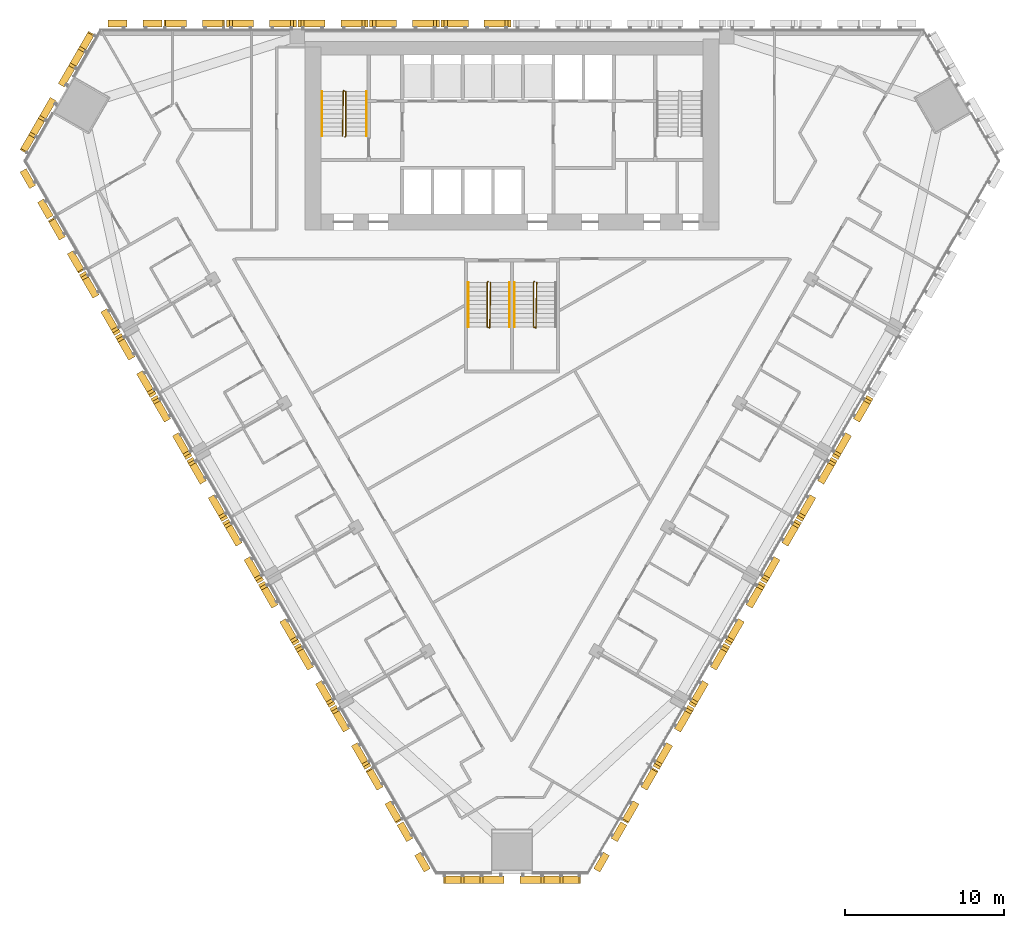
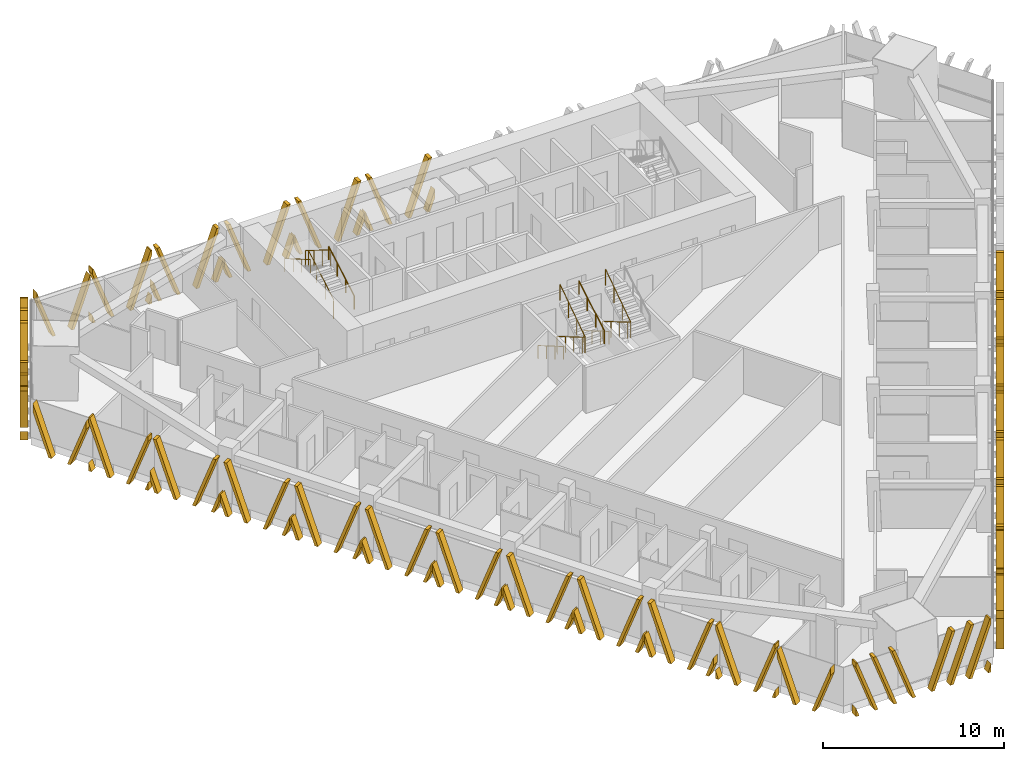
# One storey, part 16 of 18: 28 shading devices, 8 railings.
"""IFC4 building model written with IfcOpenShell, lengths in metres."""

from ifc_helpers import new_model, si_unit, direction, frame, origin, origin_2d, place, context, subcontext, project, spatial, polyline, circle, outline, extrude, source, transform, mapped, material, type_object, element, save


model = new_model("IFC4")

# Units and contexts
model_context = context("Model", 3, precision=1e-05, world=origin(), true_north=direction((0.0, 1.0)))
body_context = subcontext(model_context, "Body", "Model", "MODEL_VIEW")
ifc_project = project(units=[si_unit("LENGTHUNIT", "METRE"), si_unit("AREAUNIT", "SQUARE_METRE"), si_unit("VOLUMEUNIT", "CUBIC_METRE"), si_unit("PLANEANGLEUNIT", "RADIAN"), si_unit("MASSUNIT", "GRAM", prefix="KILO")], contexts=[model_context])

# Site, building, storey
site_placement = place(None, origin())
site = spatial("IfcSite", under=ifc_project, at=site_placement, CompositionType="ELEMENT")
building_placement = place(site_placement, origin())
building = spatial("IfcBuilding", under=site, at=building_placement, Name="Altiplano Prism Tower", CompositionType="ELEMENT")
storey_placement = place(building_placement, frame((0.0, 0.0, 48.60009765625)))
storey = spatial("IfcBuildingStorey", under=building, at=storey_placement, Name="L11", CompositionType="ELEMENT", Elevation=48.60009765625)

# Railings
ifc_material_1 = material(Name="Steel S355", Category="steel")
railing_type_1 = type_object("IfcRailingType", Name="Stair guard 1100", PredefinedType="GUARDRAIL", material=ifc_material_1)
railing_1_placement = place(storey_placement, frame((74.5, 98.25, 0.0)))
element("IfcRailing", 1, at=railing_1_placement, inside=storey, type_object=railing_type_1, Name="L11 ST1 stair guard 1", PredefinedType="GUARDRAIL", context=body_context, shape_type="SweptSolid", body=[
    extrude(circle(Radius=0.02392578125, at=origin_2d()), frame((0.0, 0.0, 1.076171875), z_axis=(0.280808744504, 0.280808744504, 0.917765164963), x_axis=(-0.707106781187, 0.707106781187, 0.0)), (0.0, 0.0, 1.0), 0.17822265625),
    extrude(circle(Radius=0.02392578125, at=origin_2d()), frame((0.050048828125, 0.050048828125, 1.23974609375), z_axis=(0.0, 0.863393664356, 0.504530851732), x_axis=(-1.0, 0.0, 0.0)), (0.0, 0.0, 1.0), 3.2431640625),
    extrude(circle(Radius=0.02392578125, at=origin_2d()), frame((0.050048828125, 2.85009765625, 2.8759765625), z_axis=(-0.949145278916, 0.314838433982, 0.0), x_axis=(-0.314838433982, -0.949145278916, 0.0)), (0.0, 0.0, 1.0), 0.158203125),
    extrude(circle(Radius=0.02392578125, at=origin_2d()), frame((-0.10009765625, 2.89990234375, 2.8759765625), z_axis=(-0.01477401265, -0.845377694409, 0.533964682676), x_axis=(0.999847325713, -0.01747355902, 0.0)), (0.0, 0.0, 1.0), 3.37109375),
    extrude(circle(Radius=0.02099609375, at=origin_2d()), origin(), (0.0, 0.0, 1.0), 1.052001953125),
    extrude(circle(Radius=0.02099609375, at=origin_2d()), frame((0.050048828125, 0.050048828125, 0.16357421875)), (0.0, 0.0, 1.0), 1.052001953125),
    extrude(circle(Radius=0.02099609375, at=origin_2d()), frame((0.050048828125, 0.9833984375, 0.708984375)), (0.0, 0.0, 1.0), 1.052001953125),
    extrude(circle(Radius=0.02099609375, at=origin_2d()), frame((0.050048828125, 1.916748046875, 1.25439453125)), (0.0, 0.0, 1.0), 1.052001953125),
    extrude(circle(Radius=0.02099609375, at=origin_2d()), frame((0.050048828125, 2.85009765625, 1.7998046875)), (0.0, 0.0, 1.0), 1.052001953125),
    extrude(circle(Radius=0.02099609375, at=origin_2d()), frame((-0.10009765625, 2.89990234375, 1.7998046875)), (0.0, 0.0, 1.0), 1.052001953125),
    extrude(circle(Radius=0.02099609375, at=origin_2d()), frame((-0.11669921875, 1.949951171875, 2.39990234375)), (0.0, 0.0, 1.0), 1.052001953125),
    extrude(circle(Radius=0.02099609375, at=origin_2d()), frame((-0.13330078125, 1.0, 2.999755859375)), (0.0, 0.0, 1.0), 1.052001953125),
    extrude(circle(Radius=0.02099609375, at=origin_2d()), frame((-0.14990234375, 0.050048828125, 3.599853515625)), (0.0, 0.0, 1.0), 1.052001953125),
])
railing_2_placement = place(storey_placement, frame((83.5, 89.14990234375, 0.0)))
element("IfcRailing", 2, at=railing_2_placement, inside=storey, type_object=railing_type_1, Name="L11 ST3A stair guard 1", PredefinedType="GUARDRAIL", context=body_context, shape_type="SweptSolid", body=[
    extrude(circle(Radius=0.02392578125, at=origin_2d()), frame((0.0, 0.0, 1.076171875), z_axis=(-0.280916556609, -0.279546231943, 0.91811752648), x_axis=(0.705375805398, -0.708833529934, 0.0)), (0.0, 0.0, 1.0), 0.17822265625),
    extrude(circle(Radius=0.02392578125, at=origin_2d()), frame((-0.050048828125, -0.0498046875, 1.23974609375), z_axis=(0.0, -0.863393664356, 0.504530851732), x_axis=(1.0, 0.0, 0.0)), (0.0, 0.0, 1.0), 3.2431640625),
    extrude(circle(Radius=0.02392578125, at=origin_2d()), frame((-0.050048828125, -2.849853515625, 2.8759765625), z_axis=(0.948683298051, -0.316227766017, 0.0), x_axis=(0.316227766017, 0.948683298051, 0.0)), (0.0, 0.0, 1.0), 0.158203125),
    extrude(circle(Radius=0.02392578125, at=origin_2d()), frame((0.10009765625, -2.89990234375, 2.8759765625), z_axis=(0.014773108175, 0.84539835705, 0.533931993021), x_axis=(-0.999847351862, 0.017472062685, 0.0)), (0.0, 0.0, 1.0), 3.371337890625),
    extrude(circle(Radius=0.02099609375, at=origin_2d()), origin(), (0.0, 0.0, 1.0), 1.052001953125),
    extrude(circle(Radius=0.02099609375, at=origin_2d()), frame((-0.050048828125, -0.0498046875, 0.16357421875)), (0.0, 0.0, 1.0), 1.052001953125),
    extrude(circle(Radius=0.02099609375, at=origin_2d()), frame((-0.050048828125, -0.983154296875, 0.708984375)), (0.0, 0.0, 1.0), 1.052001953125),
    extrude(circle(Radius=0.02099609375, at=origin_2d()), frame((-0.050048828125, -1.91650390625, 1.25439453125)), (0.0, 0.0, 1.0), 1.052001953125),
    extrude(circle(Radius=0.02099609375, at=origin_2d()), frame((-0.050048828125, -2.849853515625, 1.7998046875)), (0.0, 0.0, 1.0), 1.052001953125),
    extrude(circle(Radius=0.02099609375, at=origin_2d()), frame((0.10009765625, -2.89990234375, 1.7998046875)), (0.0, 0.0, 1.0), 1.052001953125),
    extrude(circle(Radius=0.02099609375, at=origin_2d()), frame((0.11669921875, -1.949951171875, 2.39990234375)), (0.0, 0.0, 1.0), 1.052001953125),
    extrude(circle(Radius=0.02099609375, at=origin_2d()), frame((0.13330078125, -0.999755859375, 2.999755859375)), (0.0, 0.0, 1.0), 1.052001953125),
    extrude(circle(Radius=0.02099609375, at=origin_2d()), frame((0.14990234375, -0.0498046875, 3.599853515625)), (0.0, 0.0, 1.0), 1.052001953125),
])
railing_3_placement = place(storey_placement, frame((86.39990234375, 89.14990234375, 0.0)))
element("IfcRailing", 3, at=railing_3_placement, inside=storey, type_object=railing_type_1, Name="L11 ST3B stair guard 1", PredefinedType="GUARDRAIL", context=body_context, shape_type="SweptSolid", body=[
    extrude(circle(Radius=0.02392578125, at=origin_2d()), frame((0.0, 0.0, 1.076171875), z_axis=(-0.279653641804, -0.279653641804, 0.918470294159), x_axis=(0.707106781187, -0.707106781187, 0.0)), (0.0, 0.0, 1.0), 0.177978515625),
    extrude(circle(Radius=0.02392578125, at=origin_2d()), frame((-0.0498046875, -0.0498046875, 1.23974609375), z_axis=(0.0, -0.863393664356, 0.504530851732), x_axis=(1.0, 0.0, 0.0)), (0.0, 0.0, 1.0), 3.2431640625),
    extrude(circle(Radius=0.02392578125, at=origin_2d()), frame((-0.0498046875, -2.849853515625, 2.8759765625), z_axis=(0.948528701346, -0.316691178788, 0.0), x_axis=(0.316691178788, 0.948528701346, 0.0)), (0.0, 0.0, 1.0), 0.157958984375),
    extrude(circle(Radius=0.02392578125, at=origin_2d()), frame((0.10009765625, -2.89990234375, 2.8759765625), z_axis=(0.014845509451, 0.845397450405, 0.533931420407), x_axis=(-0.999845851991, 0.017557683712, 0.0)), (0.0, 0.0, 1.0), 3.371337890625),
    extrude(circle(Radius=0.02099609375, at=origin_2d()), origin(), (0.0, 0.0, 1.0), 1.052001953125),
    extrude(circle(Radius=0.02099609375, at=origin_2d()), frame((-0.0498046875, -0.0498046875, 0.16357421875)), (0.0, 0.0, 1.0), 1.052001953125),
    extrude(circle(Radius=0.02099609375, at=origin_2d()), frame((-0.0498046875, -0.983154296875, 0.708984375)), (0.0, 0.0, 1.0), 1.052001953125),
    extrude(circle(Radius=0.02099609375, at=origin_2d()), frame((-0.0498046875, -1.91650390625, 1.25439453125)), (0.0, 0.0, 1.0), 1.052001953125),
    extrude(circle(Radius=0.02099609375, at=origin_2d()), frame((-0.0498046875, -2.849853515625, 1.7998046875)), (0.0, 0.0, 1.0), 1.052001953125),
    extrude(circle(Radius=0.02099609375, at=origin_2d()), frame((0.10009765625, -2.89990234375, 1.7998046875)), (0.0, 0.0, 1.0), 1.052001953125),
    extrude(circle(Radius=0.02099609375, at=origin_2d()), frame((0.11669921875, -1.949951171875, 2.39990234375)), (0.0, 0.0, 1.0), 1.052001953125),
    extrude(circle(Radius=0.02099609375, at=origin_2d()), frame((0.133544921875, -0.999755859375, 2.999755859375)), (0.0, 0.0, 1.0), 1.052001953125),
    extrude(circle(Radius=0.02099609375, at=origin_2d()), frame((0.150146484375, -0.0498046875, 3.599853515625)), (0.0, 0.0, 1.0), 1.052001953125),
])
railing_type_2 = type_object("IfcRailingType", Name="Stair handrail 900", PredefinedType="HANDRAIL", material=ifc_material_1)
railing_4_placement = place(storey_placement, frame((75.85009765625, 98.300048828125, 0.16357421875)))
element("IfcRailing", 4, at=railing_4_placement, inside=storey, type_object=railing_type_2, Name="L11 ST1 stair handrail 1", PredefinedType="HANDRAIL", context=body_context, shape_type="SweptSolid", body=[
    extrude(circle(Radius=0.02392578125, at=origin_2d()), frame((0.0, 0.0, 0.8759765625), z_axis=(0.0, 0.863393664356, 0.504530851732), x_axis=(-1.0, 0.0, 0.0)), (0.0, 0.0, 1.0), 3.2431640625),
    extrude(circle(Radius=0.02099609375, at=origin_2d()), origin(), (0.0, 0.0, 1.0), 0.851806640625),
    extrude(circle(Radius=0.02099609375, at=origin_2d()), frame((0.0, 0.933349609375, 0.54541015625)), (0.0, 0.0, 1.0), 0.851806640625),
    extrude(circle(Radius=0.02099609375, at=origin_2d()), frame((0.0, 1.86669921875, 1.0908203125)), (0.0, 0.0, 1.0), 0.851806640625),
    extrude(circle(Radius=0.02099609375, at=origin_2d()), frame((0.0, 2.800048828125, 1.63623046875)), (0.0, 0.0, 1.0), 0.851806640625),
])
for number, where, name in (
    (5, (73.050048828125, 101.10009765625, 1.963623046875), "L11 ST1 stair handrail 2"),
    (6, (82.25, 89.10009765625, 0.16357421875), "L11 ST3A stair handrail 1"),
):
    element("IfcRailing", number, at=place(storey_placement, frame(where)), inside=storey, type_object=railing_type_2, Name=name, PredefinedType="HANDRAIL", context=body_context, shape_type="SweptSolid", body=[
        extrude(circle(Radius=0.02392578125, at=origin_2d()), frame((0.0, 0.0, 0.8759765625), z_axis=(0.0, -0.863393664356, 0.504530851732), x_axis=(1.0, 0.0, 0.0)), (0.0, 0.0, 1.0), 3.2431640625),
        extrude(circle(Radius=0.02099609375, at=origin_2d()), origin(), (0.0, 0.0, 1.0), 0.851806640625),
        extrude(circle(Radius=0.02099609375, at=origin_2d()), frame((0.0, -0.933349609375, 0.54541015625)), (0.0, 0.0, 1.0), 0.851806640625),
        extrude(circle(Radius=0.02099609375, at=origin_2d()), frame((0.0, -1.86669921875, 1.0908203125)), (0.0, 0.0, 1.0), 0.851806640625),
        extrude(circle(Radius=0.02099609375, at=origin_2d()), frame((0.0, -2.800048828125, 1.63623046875)), (0.0, 0.0, 1.0), 0.851806640625),
    ])
railing_5_placement = place(storey_placement, frame((84.85009765625, 86.300048828125, 1.963623046875)))
element("IfcRailing", 7, at=railing_5_placement, inside=storey, type_object=railing_type_2, Name="L11 ST3A stair handrail 2", PredefinedType="HANDRAIL", context=body_context, shape_type="SweptSolid", body=[
    extrude(circle(Radius=0.02392578125, at=origin_2d()), frame((0.0, 0.0, 0.8759765625), z_axis=(0.0, 0.863393664356, 0.504530851732), x_axis=(-1.0, 0.0, 0.0)), (0.0, 0.0, 1.0), 3.2431640625),
    extrude(circle(Radius=0.02099609375, at=origin_2d()), origin(), (0.0, 0.0, 1.0), 0.851806640625),
    extrude(circle(Radius=0.02099609375, at=origin_2d()), frame((0.0, 0.933349609375, 0.54541015625)), (0.0, 0.0, 1.0), 0.851806640625),
    extrude(circle(Radius=0.02099609375, at=origin_2d()), frame((0.0, 1.86669921875, 1.0908203125)), (0.0, 0.0, 1.0), 0.851806640625),
    extrude(circle(Radius=0.02099609375, at=origin_2d()), frame((0.0, 2.800048828125, 1.63623046875)), (0.0, 0.0, 1.0), 0.851806640625),
])
railing_6_placement = place(storey_placement, frame((85.14990234375, 89.10009765625, 0.16357421875)))
element("IfcRailing", 8, at=railing_6_placement, inside=storey, type_object=railing_type_2, Name="L11 ST3B stair handrail 1", PredefinedType="HANDRAIL", context=body_context, shape_type="SweptSolid", body=[
    extrude(circle(Radius=0.02392578125, at=origin_2d()), frame((0.0, 0.0, 0.8759765625), z_axis=(0.0, -0.863393664356, 0.504530851732), x_axis=(1.0, 0.0, 0.0)), (0.0, 0.0, 1.0), 3.2431640625),
    extrude(circle(Radius=0.02099609375, at=origin_2d()), origin(), (0.0, 0.0, 1.0), 0.851806640625),
    extrude(circle(Radius=0.02099609375, at=origin_2d()), frame((0.0, -0.933349609375, 0.54541015625)), (0.0, 0.0, 1.0), 0.851806640625),
    extrude(circle(Radius=0.02099609375, at=origin_2d()), frame((0.0, -1.86669921875, 1.0908203125)), (0.0, 0.0, 1.0), 0.851806640625),
    extrude(circle(Radius=0.02099609375, at=origin_2d()), frame((0.0, -2.800048828125, 1.63623046875)), (0.0, 0.0, 1.0), 0.851806640625),
])

# Shading devices
ifc_material_2 = material(Name="Warm limestone cast stone", Category="masonry")
shading_device_type_1 = type_object("IfcShadingDeviceType", Name="Stone fin panel, standard unit", PredefinedType="USERDEFINED", material=ifc_material_2)
shared_shape_1 = source(origin(), body_context, "Body", "SweptSolid", [
    extrude(outline(polyline([(-2.199951171875, 1.373779296875), (-2.199951171875, 0.82421875), (-1.89990234375, 0.0), (-1.699951171875, 0.0), (-2.199951171875, 1.373779296875)])), frame((0.0, -0.14990234375, 0.0), z_axis=(0.0, -1.0, 0.0), x_axis=(1.0, 0.0, 0.0)), (0.0, 0.0, 1.0), 0.4501953125),
    extrude(outline(polyline([(-2.01025390625, 3.60009765625), (-0.699951171875, 0.0), (-0.5, 0.0), (-1.810302734375, 3.60009765625), (-2.01025390625, 3.60009765625)])), frame((0.0, -0.14990234375, 0.0), z_axis=(0.0, -1.0, 0.0), x_axis=(1.0, 0.0, 0.0)), (0.0, 0.0, 1.0), 0.4501953125),
    extrude(outline(polyline([(1.810302734375, 3.60009765625), (0.5, 0.0), (0.699951171875, 0.0), (2.01025390625, 3.60009765625), (1.810302734375, 3.60009765625)])), frame((0.0, -0.14990234375, 0.0), z_axis=(0.0, -1.0, 0.0), x_axis=(1.0, 0.0, 0.0)), (0.0, 0.0, 1.0), 0.4501953125),
    extrude(outline(polyline([(2.199951171875, 0.82421875), (2.199951171875, 1.373779296875), (1.699951171875, 0.0), (1.89990234375, 0.0), (2.199951171875, 0.82421875)])), frame((0.0, -0.14990234375, 0.0), z_axis=(0.0, -1.0, 0.0), x_axis=(1.0, 0.0, 0.0)), (0.0, 0.0, 1.0), 0.4501953125),
])
shading_device_1_placement = place(storey_placement, origin())
element("IfcShadingDevice", 9, at=shading_device_1_placement, inside=storey, type_object=shading_device_type_1, Name="Fin L11 north face 7", ObjectType="FIN", PredefinedType="USERDEFINED", context=body_context, shape_type="MappedRepresentation", body=[
    mapped(shared_shape_1, transform((82.75, 105.0, -0.5), x_axis=(-1.0, 0.0, 0.0), y_axis=(0.0, -1.0, 0.0), z_axis=(0.0, 0.0, 1.0))),
])
shading_device_2_placement = place(storey_placement, origin())
element("IfcShadingDevice", 10, at=shading_device_2_placement, inside=storey, type_object=shading_device_type_1, Name="Fin L11 north face 8", ObjectType="FIN", PredefinedType="USERDEFINED", context=body_context, shape_type="MappedRepresentation", body=[
    mapped(shared_shape_1, transform((78.25, 105.0, -0.5), x_axis=(-1.0, 0.0, 0.0), y_axis=(0.0, -1.0, 0.0), z_axis=(0.0, 0.0, 1.0))),
])
shading_device_3_placement = place(storey_placement, origin())
element("IfcShadingDevice", 11, at=shading_device_3_placement, inside=storey, type_object=shading_device_type_1, Name="Fin L11 north face 9", ObjectType="FIN", PredefinedType="USERDEFINED", context=body_context, shape_type="MappedRepresentation", body=[
    mapped(shared_shape_1, transform((73.75, 105.0, -0.5), x_axis=(-1.0, 0.0, 0.0), y_axis=(0.0, -1.0, 0.0), z_axis=(0.0, 0.0, 1.0))),
])
shading_device_4_placement = place(storey_placement, origin())
element("IfcShadingDevice", 12, at=shading_device_4_placement, inside=storey, type_object=shading_device_type_1, Name="Fin L11 north face 10", ObjectType="FIN", PredefinedType="USERDEFINED", context=body_context, shape_type="MappedRepresentation", body=[
    mapped(shared_shape_1, transform((69.25, 105.0, -0.5), x_axis=(-1.0, 0.0, 0.0), y_axis=(0.0, -1.0, 0.0), z_axis=(0.0, 0.0, 1.0))),
])
shading_device_5_placement = place(storey_placement, origin())
element("IfcShadingDevice", 13, at=shading_device_5_placement, inside=storey, type_object=shading_device_type_1, Name="Fin L11 south-west face 3", ObjectType="FIN", PredefinedType="USERDEFINED", context=body_context, shape_type="MappedRepresentation", body=[
    mapped(shared_shape_1, transform((59.41845703125, 87.97119140625, -0.5), x_axis=(0.499999989059, -0.866025410101, 0.0), y_axis=(0.866025410101, 0.499999989059, 0.0), z_axis=(0.0, 0.0, 1.0))),
])
shading_device_6_placement = place(storey_placement, origin())
element("IfcShadingDevice", 14, at=shading_device_6_placement, inside=storey, type_object=shading_device_type_1, Name="Fin L11 south-west face 4", ObjectType="FIN", PredefinedType="USERDEFINED", context=body_context, shape_type="MappedRepresentation", body=[
    mapped(shared_shape_1, transform((61.66845703125, 84.073974609375, -0.5), x_axis=(0.499999989059, -0.866025410101, 0.0), y_axis=(0.866025410101, 0.499999989059, 0.0), z_axis=(0.0, 0.0, 1.0))),
])
shading_device_7_placement = place(storey_placement, origin())
element("IfcShadingDevice", 15, at=shading_device_7_placement, inside=storey, type_object=shading_device_type_1, Name="Fin L11 south-west face 5", ObjectType="FIN", PredefinedType="USERDEFINED", context=body_context, shape_type="MappedRepresentation", body=[
    mapped(shared_shape_1, transform((63.91845703125, 80.177001953125, -0.5), x_axis=(0.499999989059, -0.866025410101, 0.0), y_axis=(0.866025410101, 0.499999989059, 0.0), z_axis=(0.0, 0.0, 1.0))),
])
shading_device_8_placement = place(storey_placement, origin())
element("IfcShadingDevice", 16, at=shading_device_8_placement, inside=storey, type_object=shading_device_type_1, Name="Fin L11 south-west face 6", ObjectType="FIN", PredefinedType="USERDEFINED", context=body_context, shape_type="MappedRepresentation", body=[
    mapped(shared_shape_1, transform((66.16845703125, 76.27978515625, -0.5), x_axis=(0.499999989059, -0.866025410101, 0.0), y_axis=(0.866025410101, 0.499999989059, 0.0), z_axis=(0.0, 0.0, 1.0))),
])
shading_device_9_placement = place(storey_placement, origin())
element("IfcShadingDevice", 17, at=shading_device_9_placement, inside=storey, type_object=shading_device_type_1, Name="Fin L11 south-west face 7", ObjectType="FIN", PredefinedType="USERDEFINED", context=body_context, shape_type="MappedRepresentation", body=[
    mapped(shared_shape_1, transform((68.41845703125, 72.3828125, -0.5), x_axis=(0.499999989059, -0.866025410101, 0.0), y_axis=(0.866025410101, 0.499999989059, 0.0), z_axis=(0.0, 0.0, 1.0))),
])
shading_device_10_placement = place(storey_placement, origin())
element("IfcShadingDevice", 18, at=shading_device_10_placement, inside=storey, type_object=shading_device_type_1, Name="Fin L11 south-west face 8", ObjectType="FIN", PredefinedType="USERDEFINED", context=body_context, shape_type="MappedRepresentation", body=[
    mapped(shared_shape_1, transform((70.66845703125, 68.485595703125, -0.5), x_axis=(0.499999989059, -0.866025410101, 0.0), y_axis=(0.866025410101, 0.499999989059, 0.0), z_axis=(0.0, 0.0, 1.0))),
])
shading_device_11_placement = place(storey_placement, origin())
element("IfcShadingDevice", 19, at=shading_device_11_placement, inside=storey, type_object=shading_device_type_1, Name="Fin L11 south-west face 9", ObjectType="FIN", PredefinedType="USERDEFINED", context=body_context, shape_type="MappedRepresentation", body=[
    mapped(shared_shape_1, transform((72.91845703125, 64.58837890625, -0.5), x_axis=(0.499999989059, -0.866025410101, 0.0), y_axis=(0.866025410101, 0.499999989059, 0.0), z_axis=(0.0, 0.0, 1.0))),
])
shading_device_12_placement = place(storey_placement, origin())
element("IfcShadingDevice", 20, at=shading_device_12_placement, inside=storey, type_object=shading_device_type_1, Name="Fin L11 south-west face 10", ObjectType="FIN", PredefinedType="USERDEFINED", context=body_context, shape_type="MappedRepresentation", body=[
    mapped(shared_shape_1, transform((75.16845703125, 60.69140625, -0.5), x_axis=(0.499999989059, -0.866025410101, 0.0), y_axis=(0.866025410101, 0.499999989059, 0.0), z_axis=(0.0, 0.0, 1.0))),
])
shading_device_13_placement = place(storey_placement, origin())
element("IfcShadingDevice", 21, at=shading_device_13_placement, inside=storey, type_object=shading_device_type_1, Name="Fin L11 south-east face 3", ObjectType="FIN", PredefinedType="USERDEFINED", context=body_context, shape_type="MappedRepresentation", body=[
    mapped(shared_shape_1, transform((94.83154296875, 60.69140625, -0.5), x_axis=(0.499999989059, 0.866025410101, 0.0), y_axis=(-0.866025410101, 0.499999989059, 0.0), z_axis=(0.0, 0.0, 1.0))),
])
shading_device_14_placement = place(storey_placement, origin())
element("IfcShadingDevice", 22, at=shading_device_14_placement, inside=storey, type_object=shading_device_type_1, Name="Fin L11 south-east face 4", ObjectType="FIN", PredefinedType="USERDEFINED", context=body_context, shape_type="MappedRepresentation", body=[
    mapped(shared_shape_1, transform((97.08154296875, 64.58837890625, -0.5), x_axis=(0.499999989059, 0.866025410101, 0.0), y_axis=(-0.866025410101, 0.499999989059, 0.0), z_axis=(0.0, 0.0, 1.0))),
])
shading_device_15_placement = place(storey_placement, origin())
element("IfcShadingDevice", 23, at=shading_device_15_placement, inside=storey, type_object=shading_device_type_1, Name="Fin L11 south-east face 5", ObjectType="FIN", PredefinedType="USERDEFINED", context=body_context, shape_type="MappedRepresentation", body=[
    mapped(shared_shape_1, transform((99.33154296875, 68.485595703125, -0.5), x_axis=(0.499999989059, 0.866025410101, 0.0), y_axis=(-0.866025410101, 0.499999989059, 0.0), z_axis=(0.0, 0.0, 1.0))),
])
shading_device_16_placement = place(storey_placement, origin())
element("IfcShadingDevice", 24, at=shading_device_16_placement, inside=storey, type_object=shading_device_type_1, Name="Fin L11 south-east face 6", ObjectType="FIN", PredefinedType="USERDEFINED", context=body_context, shape_type="MappedRepresentation", body=[
    mapped(shared_shape_1, transform((101.58154296875, 72.3828125, -0.5), x_axis=(0.499999989059, 0.866025410101, 0.0), y_axis=(-0.866025410101, 0.499999989059, 0.0), z_axis=(0.0, 0.0, 1.0))),
])
shading_device_17_placement = place(storey_placement, origin())
element("IfcShadingDevice", 25, at=shading_device_17_placement, inside=storey, type_object=shading_device_type_1, Name="Fin L11 south-east face 7", ObjectType="FIN", PredefinedType="USERDEFINED", context=body_context, shape_type="MappedRepresentation", body=[
    mapped(shared_shape_1, transform((103.83154296875, 76.27978515625, -0.5), x_axis=(0.499999989059, 0.866025410101, 0.0), y_axis=(-0.866025410101, 0.499999989059, 0.0), z_axis=(0.0, 0.0, 1.0))),
])
shading_device_18_placement = place(storey_placement, origin())
element("IfcShadingDevice", 26, at=shading_device_18_placement, inside=storey, type_object=shading_device_type_1, Name="Fin L11 south-east face 8", ObjectType="FIN", PredefinedType="USERDEFINED", context=body_context, shape_type="MappedRepresentation", body=[
    mapped(shared_shape_1, transform((106.08154296875, 80.177001953125, -0.5), x_axis=(0.499999989059, 0.866025410101, 0.0), y_axis=(-0.866025410101, 0.499999989059, 0.0), z_axis=(0.0, 0.0, 1.0))),
])
shading_device_type_2 = type_object("IfcShadingDeviceType", Name="Stone fin panel, narrow closing bay", PredefinedType="USERDEFINED", material=ifc_material_2)
shared_shape_2 = source(origin(), body_context, "Body", "SweptSolid", [
    extrude(outline(polyline([(-1.699951171875, 3.297119140625), (-1.699951171875, 2.74755859375), (-0.699951171875, 0.0), (-0.5, 0.0), (-1.699951171875, 3.297119140625)])), frame((0.0, -0.14990234375, 0.0), z_axis=(0.0, -1.0, 0.0), x_axis=(1.0, 0.0, 0.0)), (0.0, 0.0, 1.0), 0.4501953125),
    extrude(outline(polyline([(1.699951171875, 2.74755859375), (1.699951171875, 3.297119140625), (0.5, 0.0), (0.699951171875, 0.0), (1.699951171875, 2.74755859375)])), frame((0.0, -0.14990234375, 0.0), z_axis=(0.0, -1.0, 0.0), x_axis=(1.0, 0.0, 0.0)), (0.0, 0.0, 1.0), 0.4501953125),
])
shading_device_19_placement = place(storey_placement, origin())
element("IfcShadingDevice", 27, at=shading_device_19_placement, inside=storey, type_object=shading_device_type_2, Name="Fin L11 north face 12", ObjectType="FIN", PredefinedType="USERDEFINED", context=body_context, shape_type="MappedRepresentation", body=[
    mapped(shared_shape_2, transform((61.293701171875, 105.0, -0.5), x_axis=(-1.0, 0.0, 0.0), y_axis=(0.0, -1.0, 0.0), z_axis=(0.0, 0.0, 1.0))),
])
shading_device_20_placement = place(storey_placement, origin())
element("IfcShadingDevice", 28, at=shading_device_20_placement, inside=storey, type_object=shading_device_type_2, Name="Fin L11 south-west face 1", ObjectType="FIN", PredefinedType="USERDEFINED", context=body_context, shape_type="MappedRepresentation", body=[
    mapped(shared_shape_2, transform((55.440185546875, 94.861572265625, -0.5), x_axis=(0.499999989059, -0.866025410101, 0.0), y_axis=(0.866025410101, 0.499999989059, 0.0), z_axis=(0.0, 0.0, 1.0))),
])
shading_device_21_placement = place(storey_placement, origin())
element("IfcShadingDevice", 29, at=shading_device_21_placement, inside=storey, type_object=shading_device_type_2, Name="Fin L11 south-west face 12", ObjectType="FIN", PredefinedType="USERDEFINED", context=body_context, shape_type="MappedRepresentation", body=[
    mapped(shared_shape_2, transform((79.146484375, 53.801025390625, -0.5), x_axis=(0.499999989059, -0.866025410101, 0.0), y_axis=(0.866025410101, 0.499999989059, 0.0), z_axis=(0.0, 0.0, 1.0))),
])
shading_device_22_placement = place(storey_placement, origin())
element("IfcShadingDevice", 30, at=shading_device_22_placement, inside=storey, type_object=shading_device_type_2, Name="Fin L11 south-east face 1", ObjectType="FIN", PredefinedType="USERDEFINED", context=body_context, shape_type="MappedRepresentation", body=[
    mapped(shared_shape_2, transform((90.853515625, 53.801025390625, -0.5), x_axis=(0.499999989059, 0.866025410101, 0.0), y_axis=(-0.866025410101, 0.499999989059, 0.0), z_axis=(0.0, 0.0, 1.0))),
])
shared_shape_3 = source(origin(), body_context, "Body", "SweptSolid", [
    extrude(outline(polyline([(-1.89990234375, 3.60009765625), (-1.89990234375, 3.297119140625), (-0.699951171875, 0.0), (-0.5, 0.0), (-1.810302734375, 3.60009765625), (-1.89990234375, 3.60009765625)])), frame((0.0, -0.14990234375, 0.0), z_axis=(0.0, -1.0, 0.0), x_axis=(1.0, 0.0, 0.0)), (0.0, 0.0, 1.0), 0.4501953125),
    extrude(outline(polyline([(-1.89990234375, 0.549560546875), (-1.89990234375, 0.0), (-1.699951171875, 0.0), (-1.89990234375, 0.549560546875)])), frame((0.0, -0.14990234375, 0.0), z_axis=(0.0, -1.0, 0.0), x_axis=(1.0, 0.0, 0.0)), (0.0, 0.0, 1.0), 0.4501953125),
    extrude(outline(polyline([(1.810302734375, 3.60009765625), (0.5, 0.0), (0.699951171875, 0.0), (1.89990234375, 3.297119140625), (1.89990234375, 3.60009765625), (1.810302734375, 3.60009765625)])), frame((0.0, -0.14990234375, 0.0), z_axis=(0.0, -1.0, 0.0), x_axis=(1.0, 0.0, 0.0)), (0.0, 0.0, 1.0), 0.4501953125),
    extrude(outline(polyline([(1.89990234375, 0.0), (1.89990234375, 0.549560546875), (1.699951171875, 0.0), (1.89990234375, 0.0)])), frame((0.0, -0.14990234375, 0.0), z_axis=(0.0, -1.0, 0.0), x_axis=(1.0, 0.0, 0.0)), (0.0, 0.0, 1.0), 0.4501953125),
])
shading_device_23_placement = place(storey_placement, origin())
element("IfcShadingDevice", 31, at=shading_device_23_placement, inside=storey, type_object=shading_device_type_2, Name="Fin L11 north face 11", ObjectType="FIN", PredefinedType="USERDEFINED", context=body_context, shape_type="MappedRepresentation", body=[
    mapped(shared_shape_3, transform((65.03125, 105.0, -0.5), x_axis=(-1.0, 0.0, 0.0), y_axis=(0.0, -1.0, 0.0), z_axis=(0.0, 0.0, 1.0))),
])
shading_device_24_placement = place(storey_placement, origin())
element("IfcShadingDevice", 32, at=shading_device_24_placement, inside=storey, type_object=shading_device_type_2, Name="Fin L11 south-west face 2", ObjectType="FIN", PredefinedType="USERDEFINED", context=body_context, shape_type="MappedRepresentation", body=[
    mapped(shared_shape_3, transform((57.30908203125, 91.624755859375, -0.5), x_axis=(0.499999989059, -0.866025410101, 0.0), y_axis=(0.866025410101, 0.499999989059, 0.0), z_axis=(0.0, 0.0, 1.0))),
])
shading_device_25_placement = place(storey_placement, origin())
element("IfcShadingDevice", 33, at=shading_device_25_placement, inside=storey, type_object=shading_device_type_2, Name="Fin L11 south-west face 11", ObjectType="FIN", PredefinedType="USERDEFINED", context=body_context, shape_type="MappedRepresentation", body=[
    mapped(shared_shape_3, transform((77.27783203125, 57.037841796875, -0.5), x_axis=(0.499999989059, -0.866025410101, 0.0), y_axis=(0.866025410101, 0.499999989059, 0.0), z_axis=(0.0, 0.0, 1.0))),
])
shading_device_26_placement = place(storey_placement, origin())
element("IfcShadingDevice", 34, at=shading_device_26_placement, inside=storey, type_object=shading_device_type_2, Name="Fin L11 south-east face 2", ObjectType="FIN", PredefinedType="USERDEFINED", context=body_context, shape_type="MappedRepresentation", body=[
    mapped(shared_shape_3, transform((92.72216796875, 57.037841796875, -0.5), x_axis=(0.499999989059, 0.866025410101, 0.0), y_axis=(-0.866025410101, 0.499999989059, 0.0), z_axis=(0.0, 0.0, 1.0))),
])
shading_device_type_3 = type_object("IfcShadingDeviceType", Name="Stone fin panel, chamfer unit", PredefinedType="USERDEFINED", material=ifc_material_2)
shared_shape_4 = source(origin(), body_context, "Body", "SweptSolid", [
    extrude(outline(polyline([(-4.300048828125, 3.60009765625), (-4.300048828125, 3.297119140625), (-3.10009765625, 0.0), (-2.89990234375, 0.0), (-4.210205078125, 3.60009765625), (-4.300048828125, 3.60009765625)])), frame((0.0, -0.14990234375, 0.0), z_axis=(0.0, -1.0, 0.0), x_axis=(1.0, 0.0, 0.0)), (0.0, 0.0, 1.0), 0.4501953125),
    extrude(outline(polyline([(-4.300048828125, 0.549560546875), (-4.300048828125, 0.0), (-4.10009765625, 0.0), (-4.300048828125, 0.549560546875)])), frame((0.0, -0.14990234375, 0.0), z_axis=(0.0, -1.0, 0.0), x_axis=(1.0, 0.0, 0.0)), (0.0, 0.0, 1.0), 0.4501953125),
    extrude(outline(polyline([(-3.210205078125, 3.60009765625), (-1.89990234375, 0.0), (-1.699951171875, 0.0), (-3.01025390625, 3.60009765625), (-3.210205078125, 3.60009765625)])), frame((0.0, -0.14990234375, 0.0), z_axis=(0.0, -1.0, 0.0), x_axis=(1.0, 0.0, 0.0)), (0.0, 0.0, 1.0), 0.4501953125),
    extrude(outline(polyline([(-2.01025390625, 3.60009765625), (-0.699951171875, 0.0), (-0.5, 0.0), (-1.810302734375, 3.60009765625), (-2.01025390625, 3.60009765625)])), frame((0.0, -0.14990234375, 0.0), z_axis=(0.0, -1.0, 0.0), x_axis=(1.0, 0.0, 0.0)), (0.0, 0.0, 1.0), 0.4501953125),
    extrude(outline(polyline([(1.810302734375, 3.60009765625), (0.5, 0.0), (0.699951171875, 0.0), (2.01025390625, 3.60009765625), (1.810302734375, 3.60009765625)])), frame((0.0, -0.14990234375, 0.0), z_axis=(0.0, -1.0, 0.0), x_axis=(1.0, 0.0, 0.0)), (0.0, 0.0, 1.0), 0.4501953125),
    extrude(outline(polyline([(3.01025390625, 3.60009765625), (1.699951171875, 0.0), (1.89990234375, 0.0), (3.210205078125, 3.60009765625), (3.01025390625, 3.60009765625)])), frame((0.0, -0.14990234375, 0.0), z_axis=(0.0, -1.0, 0.0), x_axis=(1.0, 0.0, 0.0)), (0.0, 0.0, 1.0), 0.4501953125),
    extrude(outline(polyline([(4.210205078125, 3.60009765625), (2.89990234375, 0.0), (3.10009765625, 0.0), (4.300048828125, 3.297119140625), (4.300048828125, 3.60009765625), (4.210205078125, 3.60009765625)])), frame((0.0, -0.14990234375, 0.0), z_axis=(0.0, -1.0, 0.0), x_axis=(1.0, 0.0, 0.0)), (0.0, 0.0, 1.0), 0.4501953125),
    extrude(outline(polyline([(4.300048828125, 0.0), (4.300048828125, 0.549560546875), (4.10009765625, 0.0), (4.300048828125, 0.0)])), frame((0.0, -0.14990234375, 0.0), z_axis=(0.0, -1.0, 0.0), x_axis=(1.0, 0.0, 0.0)), (0.0, 0.0, 1.0), 0.4501953125),
])
shading_device_27_placement = place(storey_placement, origin())
element("IfcShadingDevice", 35, at=shading_device_27_placement, inside=storey, type_object=shading_device_type_3, Name="Fin L11 north-west chamfer 1", ObjectType="FIN", PredefinedType="USERDEFINED", context=body_context, shape_type="MappedRepresentation", body=[
    mapped(shared_shape_4, transform((56.740478515625, 100.869873046875, -0.5), x_axis=(-0.499999930086, -0.866025444149, 0.0), y_axis=(0.866025444149, -0.499999930086, 0.0), z_axis=(0.0, 0.0, 1.0))),
])
shading_device_28_placement = place(storey_placement, origin())
element("IfcShadingDevice", 36, at=shading_device_28_placement, inside=storey, type_object=shading_device_type_3, Name="Fin L11 south chamfer 1", ObjectType="FIN", PredefinedType="USERDEFINED", context=body_context, shape_type="MappedRepresentation", body=[
    mapped(shared_shape_4, transform((85.0, 51.9228515625, -0.5), x_axis=(1.0, 0.0, 0.0), y_axis=(0.0, 1.0, 0.0), z_axis=(0.0, 0.0, 1.0))),
])

save(model, "model.ifc")
